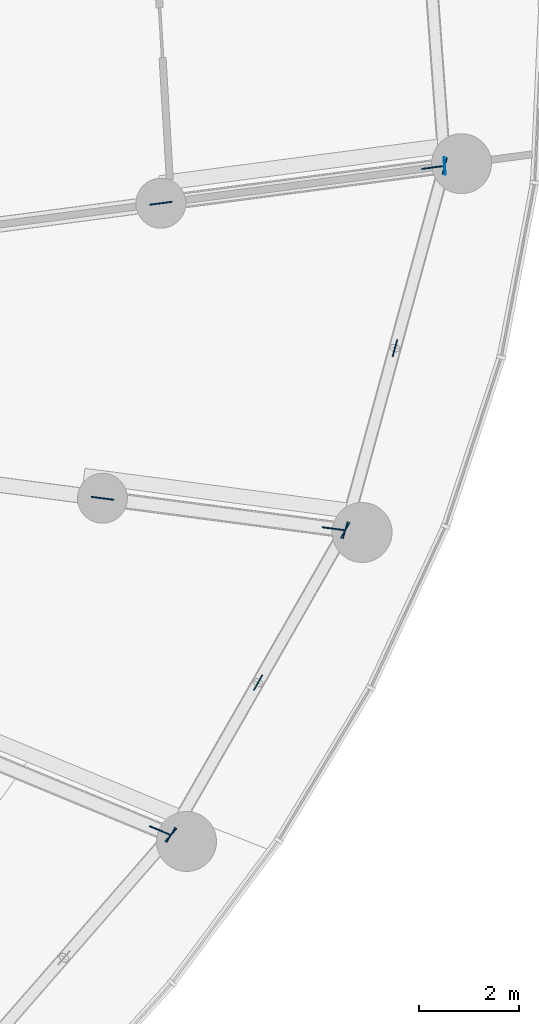
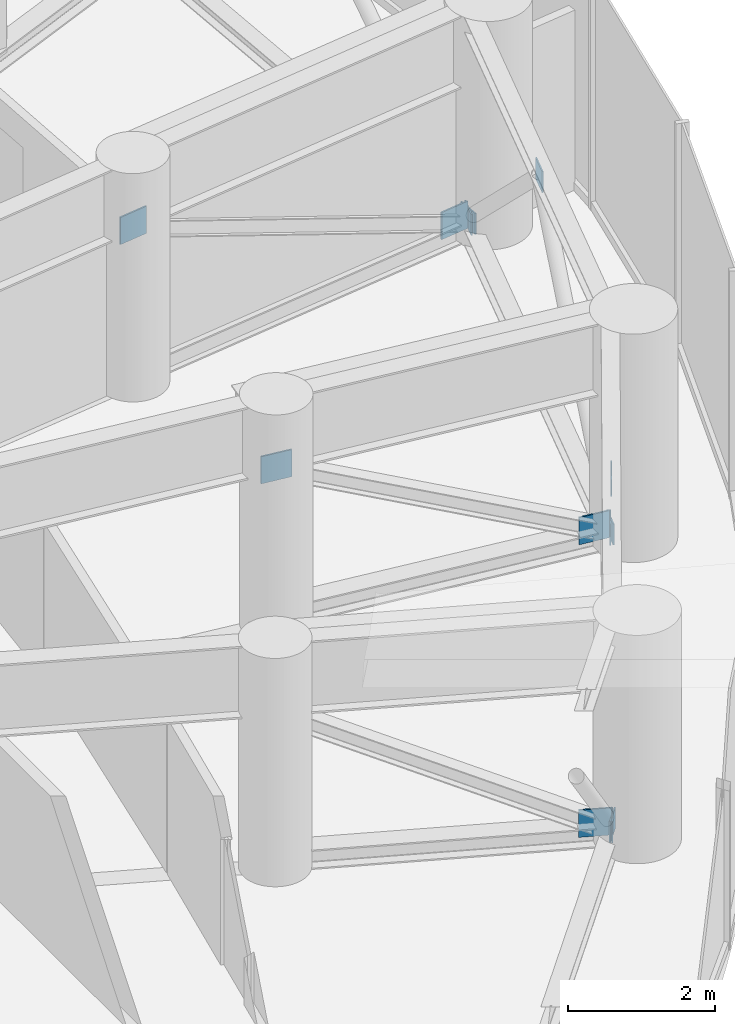
# One storey, part 26 of 33: 13 discrete accessories.
"""IFC4 building model written with IfcOpenShell, lengths in metres."""

import ifcopenshell
import ifcopenshell.guid

model = None  # the IFC model being written
_history = None  # IfcOwnerHistory: only IFC2X3 demands one
_inside = {}  # id of a spatial element -> (the spatial element, [elements in it])
_under = {}  # id of a project, library or spatial element -> (it, [spatial elements below it])
_declared = {}  # id of a project -> (the project, [libraries it declares])
_typed = {}  # id of a type object -> (the type object, [elements of that type])
_made_of = {}  # id of a material, layer set ... -> (it, [elements and type objects made of it])


def new_model(schema):
    """Start an empty IFC model of exactly this schema.

    Asked for "IFC4X3", IfcOpenShell would pick the latest addendum, in which some entities
    have other attributes; the version numbers below select the first issue.
    IFC2X3 requires an IfcOwnerHistory on every rooted entity: one is made here for all.
    """
    global model, _history
    if schema == "IFC4X3":
        model = ifcopenshell.file(schema_version=(4, 3, 0, 0))
    else:
        model = ifcopenshell.file(schema=schema)
    _inside.clear()
    _under.clear()
    _declared.clear()
    _typed.clear()
    _made_of.clear()
    _history = None
    if model.schema == "IFC2X3":
        org = make("IfcOrganization", Name="unknown")
        user = make(
            "IfcPersonAndOrganization",
            ThePerson=make("IfcPerson", FamilyName="unknown"),
            TheOrganization=org,
        )
        app = make(
            "IfcApplication",
            ApplicationDeveloper=org,
            Version="unknown",
            ApplicationFullName="unknown",
            ApplicationIdentifier="unknown",
        )
        _history = make(
            "IfcOwnerHistory",
            OwningUser=user,
            OwningApplication=app,
            ChangeAction="ADDED",
            CreationDate=0,
        )
    return model


def make(cls, **values):
    """One entity of the class cls with the attributes given. An attribute that is None is left unset."""
    return model.create_entity(
        cls, **{name: value for name, value in values.items() if value is not None}
    )


def rooted(cls, **values):
    """An entity with a GlobalId (a new one), such as an element, a storey or a relation."""
    return make(cls, GlobalId=ifcopenshell.guid.new(), OwnerHistory=_history, **values)


def si_unit(unit_type, name, prefix=None):
    """IfcSIUnit, for example si_unit("LENGTHUNIT", "METRE", prefix="MILLI")."""
    return make("IfcSIUnit", UnitType=unit_type, Prefix=prefix, Name=name)


def assignment(units):
    """IfcUnitAssignment: the units of a project."""
    return None if units is None else make("IfcUnitAssignment", Units=units)


def point(xyz):
    """IfcCartesianPoint."""
    return None if xyz is None else make("IfcCartesianPoint", Coordinates=xyz)


def direction(xyz):
    """IfcDirection."""
    return None if xyz is None else make("IfcDirection", DirectionRatios=xyz)


def frame(location, z_axis=None, x_axis=None):
    """IfcAxis2Placement3D, a coordinate frame: its origin and axes. An axis left out is left unset."""
    return make(
        "IfcAxis2Placement3D",
        Location=point(location),
        Axis=direction(z_axis),
        RefDirection=direction(x_axis),
    )


def frame_2d(location, x_axis=None):
    """IfcAxis2Placement2D, a coordinate frame in the plane: its origin and x axis."""
    return make(
        "IfcAxis2Placement2D", Location=point(location), RefDirection=direction(x_axis)
    )


def origin():
    """The frame at (0, 0, 0) with its axes left unset."""
    return frame((0.0, 0.0, 0.0))


def origin_2d():
    """The frame at (0, 0) in the plane with its x axis left unset."""
    return frame_2d((0.0, 0.0))


def place(relative_to, where):
    """IfcLocalPlacement: puts the frame where relative to a parent placement (None: the world)."""
    return make(
        "IfcLocalPlacement", PlacementRelTo=relative_to, RelativePlacement=where
    )


def context(
    kind, dimensions, precision=None, world=None, true_north=None, identifier=None
):
    """IfcGeometricRepresentationContext, for example the 3D "Model" context."""
    return make(
        "IfcGeometricRepresentationContext",
        ContextIdentifier=identifier,
        ContextType=kind,
        CoordinateSpaceDimension=dimensions,
        Precision=precision,
        WorldCoordinateSystem=world,
        TrueNorth=true_north,
    )


def subcontext(parent, identifier, kind, view, scale=None):
    """IfcGeometricRepresentationSubContext, for example "Body" below "Model"."""
    return make(
        "IfcGeometricRepresentationSubContext",
        ContextIdentifier=identifier,
        ContextType=kind,
        ParentContext=parent,
        TargetScale=scale,
        TargetView=view,
    )


def project(units=None, contexts=None):
    """IfcProject with its units and contexts."""
    return rooted(
        "IfcProject",
        Name="project",
        RepresentationContexts=contexts,
        UnitsInContext=assignment(units),
    )


def spatial(cls, under=None, at=None, **own):
    """A site, building, storey or space (cls), placed at a placement, below another one or the project."""
    s = rooted(cls, ObjectPlacement=at, **own)
    if under is not None:
        _under.setdefault(under.id(), (under, []))[1].append(s)
    return s


def profile(cls, at=None, kind="AREA", **sizes):
    """A parametric profile (cls). Its sizes go by their IFC names, for example OverallWidth=200.0."""
    return make(cls, ProfileType=kind, Position=at, **sizes)


def rectangle(**sizes):
    """IfcRectangleProfileDef."""
    return profile("IfcRectangleProfileDef", **sizes)


def extrude(swept, where, along, depth):
    """IfcExtrudedAreaSolid: the profile swept, set in the frame where, extruded along a direction by depth."""
    return make(
        "IfcExtrudedAreaSolid",
        SweptArea=swept,
        Position=where,
        ExtrudedDirection=direction(along),
        Depth=depth,
    )


def shape(context_of_items, identifier, shape_type, items):
    """IfcShapeRepresentation: the items that make up one representation, for example the "Body"."""
    return make(
        "IfcShapeRepresentation",
        ContextOfItems=context_of_items,
        RepresentationIdentifier=identifier,
        RepresentationType=shape_type,
        Items=items,
    )


def source(mapping_origin, context_of_items, identifier, shape_type, items):
    """IfcRepresentationMap: a shape defined once, which mapped items show again and again."""
    return make(
        "IfcRepresentationMap",
        MappingOrigin=mapping_origin,
        MappedRepresentation=shape(context_of_items, identifier, shape_type, items),
    )


def transform(
    local_origin,
    x_axis=None,
    y_axis=None,
    z_axis=None,
    scale=None,
    scale2=None,
    scale3=None,
    uniform=True,
):
    """IfcCartesianTransformationOperator3D, or its non-uniform kind. x_axis, y_axis, z_axis: its Axis1, 2, 3."""
    if uniform:
        return make(
            "IfcCartesianTransformationOperator3D",
            Axis1=direction(x_axis),
            Axis2=direction(y_axis),
            LocalOrigin=point(local_origin),
            Scale=scale,
            Axis3=direction(z_axis),
        )
    return make(
        "IfcCartesianTransformationOperator3DnonUniform",
        Axis1=direction(x_axis),
        Axis2=direction(y_axis),
        LocalOrigin=point(local_origin),
        Scale=scale,
        Axis3=direction(z_axis),
        Scale2=scale2,
        Scale3=scale3,
    )


def mapped(mapping_source, mapping_target):
    """IfcMappedItem: shows the shape of a source again, moved by a transform."""
    return make(
        "IfcMappedItem", MappingSource=mapping_source, MappingTarget=mapping_target
    )


def material(Name=None, Category=None):
    """IfcMaterial."""
    return make("IfcMaterial", Name=Name, Category=Category)


def layer(
    of_material, thickness, ventilated=None, Name=None, Category=None, Priority=None
):
    """IfcMaterialLayer: one layer of a wall or slab, of a material (None: an air gap)."""
    return make(
        "IfcMaterialLayer",
        Material=of_material,
        LayerThickness=thickness,
        IsVentilated=ventilated,
        Name=Name,
        Category=Category,
        Priority=Priority,
    )


def layer_set(layers, Name=None):
    """IfcMaterialLayerSet."""
    return make("IfcMaterialLayerSet", MaterialLayers=layers, LayerSetName=Name)


def made_of(thing, what):
    """Note that an element or type object is made of a material, layer set ...; save() writes the relation."""
    if what is not None:
        _made_of.setdefault(what.id(), (what, []))[1].append(thing)
    return thing


def type_object(cls, material=None, **own):
    """A type object (cls), such as IfcWallType, which elements share."""
    return made_of(rooted(cls, **own), material)


def element(
    cls,
    number,
    at=None,
    inside=None,
    cuts=None,
    type_object=None,
    material=None,
    context=None,
    identifier="Body",
    shape_type=None,
    held_by="IfcProductDefinitionShape",
    body=None,
    shapes=None,
    **own,
):
    """One element of the class cls, such as IfcWall. Its Tag is "e" and its number.

    at: its placement. inside: the storey or other place that contains it. cuts: it is an
    opening in that element (IfcRelVoidsElement). A single representation is given by context,
    identifier, shape_type and body (its items); several are given by shapes. held_by: the class
    of the entity that holds the representations. save() writes the other relations.
    """
    e = rooted(cls, Tag="e%d" % number, ObjectPlacement=at, **own)
    if body is not None:
        shapes = [shape(context, identifier, shape_type, body)]
    if shapes is not None:
        e.Representation = make(held_by, Representations=shapes)
    if inside is not None:
        _inside.setdefault(inside.id(), (inside, []))[1].append(e)
    if cuts is not None:
        rooted(
            "IfcRelVoidsElement", RelatingBuildingElement=cuts, RelatedOpeningElement=e
        )
    if type_object is not None:
        _typed.setdefault(type_object.id(), (type_object, []))[1].append(e)
    return made_of(e, material)


def aggregate(whole, parts):
    """IfcRelAggregates: a whole, such as a stair, and the parts it consists of."""
    return rooted("IfcRelAggregates", RelatingObject=whole, RelatedObjects=parts)


def save(model, path):
    """Write the relations noted so far, then the file.

    IfcRelAggregates (storeys below a building ...), IfcRelContainedInSpatialStructure (elements
    in a storey), IfcRelDefinesByType, IfcRelAssociatesMaterial and IfcRelDeclares: one each for
    every whole, place, type object, material and project.
    """
    for whole, parts in _under.values():
        aggregate(whole, parts)
    for where, things in _inside.values():
        rooted(
            "IfcRelContainedInSpatialStructure",
            RelatedElements=things,
            RelatingStructure=where,
        )
    for kind, things in _typed.values():
        rooted("IfcRelDefinesByType", RelatedObjects=things, RelatingType=kind)
    for what, things in _made_of.values():
        rooted("IfcRelAssociatesMaterial", RelatedObjects=things, RelatingMaterial=what)
    for by, libraries in _declared.values():
        rooted("IfcRelDeclares", RelatingContext=by, RelatedDefinitions=libraries)
    model.write(path)


model = new_model("IFC4")

# Units and contexts
model_context = context("Model", 3, precision=1e-05, world=origin(), true_north=direction((0.0, 1.0)))
body_context = subcontext(model_context, "Body", "Model", "MODEL_VIEW")
ifc_project = project(units=[si_unit("LENGTHUNIT", "METRE"), si_unit("AREAUNIT", "SQUARE_METRE"), si_unit("VOLUMEUNIT", "CUBIC_METRE"), si_unit("PLANEANGLEUNIT", "RADIAN"), si_unit("MASSUNIT", "GRAM", prefix="KILO")], contexts=[model_context])

# Site, building, storey
site_placement = place(None, origin())
site = spatial("IfcSite", under=ifc_project, at=site_placement, CompositionType="ELEMENT")
building_placement = place(site_placement, origin())
building = spatial("IfcBuilding", under=site, at=building_placement, Name="Spindrift Exchange Tower", CompositionType="ELEMENT")
storey_placement = place(building_placement, frame((0.0, 0.0, 129.0)))
storey = spatial("IfcBuildingStorey", under=building, at=storey_placement, Name="L30", CompositionType="ELEMENT", Elevation=129.0)

# Discrete accessories
ifc_material = material(Name="Steel Grade 350", Category="steel")
ifc_layer_1 = layer(ifc_material, 0.02490234375)
ifc_layer_set_1 = layer_set([ifc_layer_1], Name="Gusset plate 450x450x25 Steel Grade 350")
discrete_accessory_type_1 = type_object("IfcDiscreteAccessoryType", Name="Gusset plate 450x450x25 Steel Grade 350", PredefinedType="USERDEFINED", material=ifc_layer_set_1)
shared_shape_1 = source(origin(), body_context, "Body", "SweptSolid", [
    extrude(rectangle(XDim=0.449951171875, YDim=0.02490234375, at=origin_2d()), origin(), (0.0, 0.0, 1.0), 0.449951171875),
])
for number, where, z_axis, x_axis, name in (
    (1, (75.033935546875, 51.032470703125, 2.35498046875), (0.0, 0.0, 1.0), (0.991446455978, 0.130514079426, 0.0), "L30 gusset plate GP1 01"),
    (2, (80.481201171875, 51.74951171875, 0.09619140625), (0.0, 0.0, 1.0), (0.991446455978, 0.130514079426, 0.0), "L30 gusset plate GP1 01"),
    (3, (75.011962890625, 38.468017578125, 0.09619140625), (0.0, 0.0, 1.0), (0.923877528773, -0.382688269782, 0.0), "L30 gusset plate GP1 23"),
    (4, (73.86328125, 45.12158203125, 2.35498046875), (0.0, 0.0, 1.0), (0.991443950105, -0.130533113808, 0.0), "L30 gusset plate GP1 24"),
    (5, (78.489501953125, 44.5126953125, 0.09619140625), (0.0, 0.0, 1.0), (0.991443950105, -0.130533113808, 0.0), "L30 gusset plate GP1 24"),
):
    element("IfcDiscreteAccessory", number, at=place(storey_placement, frame(where, z_axis=z_axis, x_axis=x_axis)), inside=storey, type_object=discrete_accessory_type_1, Name=name, ObjectType="Gusset plate", PredefinedType="USERDEFINED", context=body_context, shape_type="MappedRepresentation", body=[
        mapped(shared_shape_1, transform((0.0, 0.0, 0.0), scale=1.0)),
    ])
ifc_layer_2 = layer(ifc_material, 0.02001953125)
ifc_layer_set_2 = layer_set([ifc_layer_2], Name="Gusset plate 350x350x20 Steel Grade 350")
discrete_accessory_type_2 = type_object("IfcDiscreteAccessoryType", Name="Gusset plate 350x350x20 Steel Grade 350", PredefinedType="USERDEFINED", material=ifc_layer_set_2)
shared_shape_2 = source(origin(), body_context, "Body", "SweptSolid", [
    extrude(rectangle(XDim=0.35009765625, YDim=0.02001953125, at=origin_2d()), origin(), (0.0, 0.0, 1.0), 0.35009765625),
])
for number, where, z_axis, x_axis, name in (
    (6, (80.71923828125, 51.781005859375, 0.078857421875), (0.0, 0.0, 1.0), (-0.073168571264, 0.997319587785, 0.0), "L30 gusset plate GP2 01"),
    (7, (75.233642578125, 38.376220703125, 0.078857421875), (0.0, 0.0, 1.0), (0.656856895211, 0.754015264576, 0.0), "L30 gusset plate GP2 22"),
    (8, (75.233642578125, 38.376220703125, 0.078857421875), (0.0, 0.0, 1.0), (0.496677082815, 0.867935409697, 0.0), "L30 gusset plate GP2 23"),
    (9, (76.98046875, 41.4287109375, 3.350830078125), (0.0, 0.0, 1.0), (0.496677082815, 0.867935409697, 0.0), "L30 gusset plate GP2 23"),
    (10, (78.727294921875, 44.481201171875, 0.078857421875), (0.0, 0.0, 1.0), (0.49669980514, 0.867922406424, 0.0), "L30 gusset plate GP2 23"),
    (11, (78.727294921875, 44.481201171875, 0.078857421875), (0.0, 0.0, 1.0), (0.263240008367, 0.964730375802, 0.0), "L30 gusset plate GP2 24"),
    (12, (79.723388671875, 48.131103515625, 3.350830078125), (0.0, 0.0, 1.0), (0.263240008367, 0.964730375802, 0.0), "L30 gusset plate GP2 24"),
    (13, (80.71923828125, 51.781005859375, 0.078857421875), (0.0, 0.0, 1.0), (0.263240008367, 0.964730375802, 0.0), "L30 gusset plate GP2 24"),
):
    element("IfcDiscreteAccessory", number, at=place(storey_placement, frame(where, z_axis=z_axis, x_axis=x_axis)), inside=storey, type_object=discrete_accessory_type_2, Name=name, ObjectType="Gusset plate", PredefinedType="USERDEFINED", context=body_context, shape_type="MappedRepresentation", body=[
        mapped(shared_shape_2, transform((0.0, 0.0, 0.0), scale=1.0)),
    ])

save(model, "model.ifc")
